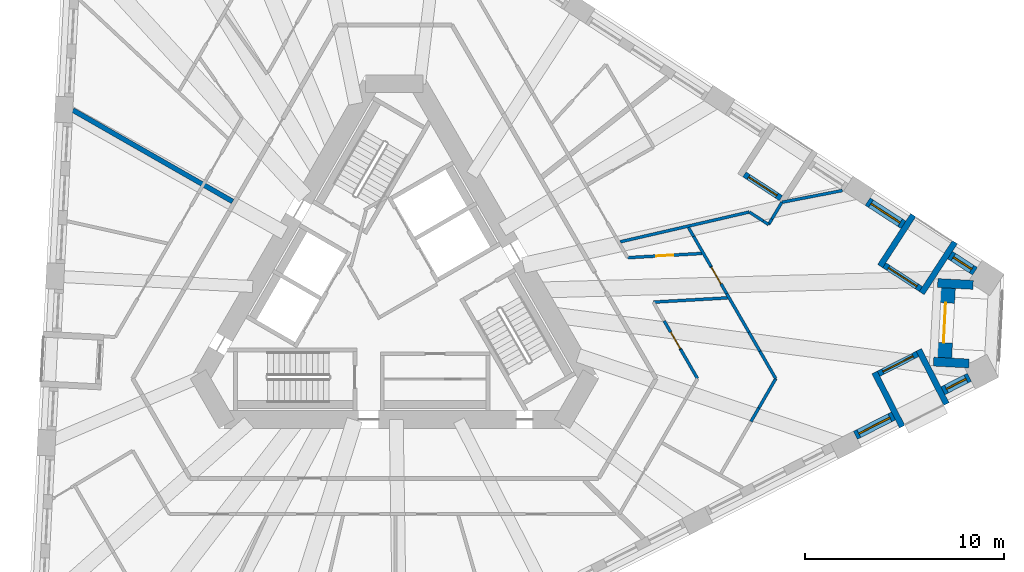
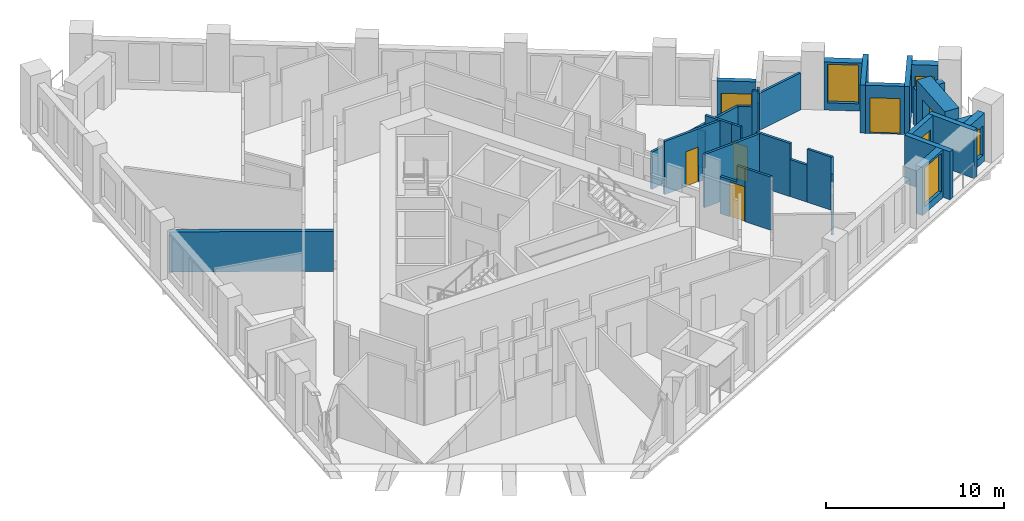
# One storey, part 6 of 13: 33 walls, 7 doors, 4 windows, 11 openings.
"""IFC4 building model written with IfcOpenShell, lengths in metres."""

import ifcopenshell
import ifcopenshell.guid

model = None  # the IFC model being written
_history = None  # IfcOwnerHistory: only IFC2X3 demands one
_inside = {}  # id of a spatial element -> (the spatial element, [elements in it])
_under = {}  # id of a project, library or spatial element -> (it, [spatial elements below it])
_declared = {}  # id of a project -> (the project, [libraries it declares])
_typed = {}  # id of a type object -> (the type object, [elements of that type])
_made_of = {}  # id of a material, layer set ... -> (it, [elements and type objects made of it])


def new_model(schema):
    """Start an empty IFC model of exactly this schema.

    Asked for "IFC4X3", IfcOpenShell would pick the latest addendum, in which some entities
    have other attributes; the version numbers below select the first issue.
    IFC2X3 requires an IfcOwnerHistory on every rooted entity: one is made here for all.
    """
    global model, _history
    if schema == "IFC4X3":
        model = ifcopenshell.file(schema_version=(4, 3, 0, 0))
    else:
        model = ifcopenshell.file(schema=schema)
    _inside.clear()
    _under.clear()
    _declared.clear()
    _typed.clear()
    _made_of.clear()
    _history = None
    if model.schema == "IFC2X3":
        org = make("IfcOrganization", Name="unknown")
        user = make(
            "IfcPersonAndOrganization",
            ThePerson=make("IfcPerson", FamilyName="unknown"),
            TheOrganization=org,
        )
        app = make(
            "IfcApplication",
            ApplicationDeveloper=org,
            Version="unknown",
            ApplicationFullName="unknown",
            ApplicationIdentifier="unknown",
        )
        _history = make(
            "IfcOwnerHistory",
            OwningUser=user,
            OwningApplication=app,
            ChangeAction="ADDED",
            CreationDate=0,
        )
    return model


def make(cls, **values):
    """One entity of the class cls with the attributes given. An attribute that is None is left unset."""
    return model.create_entity(
        cls, **{name: value for name, value in values.items() if value is not None}
    )


def rooted(cls, **values):
    """An entity with a GlobalId (a new one), such as an element, a storey or a relation."""
    return make(cls, GlobalId=ifcopenshell.guid.new(), OwnerHistory=_history, **values)


def si_unit(unit_type, name, prefix=None):
    """IfcSIUnit, for example si_unit("LENGTHUNIT", "METRE", prefix="MILLI")."""
    return make("IfcSIUnit", UnitType=unit_type, Prefix=prefix, Name=name)


def assignment(units):
    """IfcUnitAssignment: the units of a project."""
    return None if units is None else make("IfcUnitAssignment", Units=units)


def point(xyz):
    """IfcCartesianPoint."""
    return None if xyz is None else make("IfcCartesianPoint", Coordinates=xyz)


def direction(xyz):
    """IfcDirection."""
    return None if xyz is None else make("IfcDirection", DirectionRatios=xyz)


def frame(location, z_axis=None, x_axis=None):
    """IfcAxis2Placement3D, a coordinate frame: its origin and axes. An axis left out is left unset."""
    return make(
        "IfcAxis2Placement3D",
        Location=point(location),
        Axis=direction(z_axis),
        RefDirection=direction(x_axis),
    )


def frame_2d(location, x_axis=None):
    """IfcAxis2Placement2D, a coordinate frame in the plane: its origin and x axis."""
    return make(
        "IfcAxis2Placement2D", Location=point(location), RefDirection=direction(x_axis)
    )


def origin():
    """The frame at (0, 0, 0) with its axes left unset."""
    return frame((0.0, 0.0, 0.0))


def place(relative_to, where):
    """IfcLocalPlacement: puts the frame where relative to a parent placement (None: the world)."""
    return make(
        "IfcLocalPlacement", PlacementRelTo=relative_to, RelativePlacement=where
    )


def context(
    kind, dimensions, precision=None, world=None, true_north=None, identifier=None
):
    """IfcGeometricRepresentationContext, for example the 3D "Model" context."""
    return make(
        "IfcGeometricRepresentationContext",
        ContextIdentifier=identifier,
        ContextType=kind,
        CoordinateSpaceDimension=dimensions,
        Precision=precision,
        WorldCoordinateSystem=world,
        TrueNorth=true_north,
    )


def subcontext(parent, identifier, kind, view, scale=None):
    """IfcGeometricRepresentationSubContext, for example "Body" below "Model"."""
    return make(
        "IfcGeometricRepresentationSubContext",
        ContextIdentifier=identifier,
        ContextType=kind,
        ParentContext=parent,
        TargetScale=scale,
        TargetView=view,
    )


def project(units=None, contexts=None):
    """IfcProject with its units and contexts."""
    return rooted(
        "IfcProject",
        Name="project",
        RepresentationContexts=contexts,
        UnitsInContext=assignment(units),
    )


def spatial(cls, under=None, at=None, **own):
    """A site, building, storey or space (cls), placed at a placement, below another one or the project."""
    s = rooted(cls, ObjectPlacement=at, **own)
    if under is not None:
        _under.setdefault(under.id(), (under, []))[1].append(s)
    return s


def polyline(points):
    """IfcPolyline through the points."""
    return make("IfcPolyline", Points=[point(p) for p in points])


def profile(cls, at=None, kind="AREA", **sizes):
    """A parametric profile (cls). Its sizes go by their IFC names, for example OverallWidth=200.0."""
    return make(cls, ProfileType=kind, Position=at, **sizes)


def rectangle(**sizes):
    """IfcRectangleProfileDef."""
    return profile("IfcRectangleProfileDef", **sizes)


def outline(outer, holes=None, kind="AREA"):
    """IfcArbitraryClosedProfileDef: a profile drawn as a closed curve; with holes, ...WithVoids."""
    if holes is None:
        return make("IfcArbitraryClosedProfileDef", ProfileType=kind, OuterCurve=outer)
    return make(
        "IfcArbitraryProfileDefWithVoids",
        ProfileType=kind,
        OuterCurve=outer,
        InnerCurves=holes,
    )


def extrude(swept, where, along, depth):
    """IfcExtrudedAreaSolid: the profile swept, set in the frame where, extruded along a direction by depth."""
    return make(
        "IfcExtrudedAreaSolid",
        SweptArea=swept,
        Position=where,
        ExtrudedDirection=direction(along),
        Depth=depth,
    )


def shape(context_of_items, identifier, shape_type, items):
    """IfcShapeRepresentation: the items that make up one representation, for example the "Body"."""
    return make(
        "IfcShapeRepresentation",
        ContextOfItems=context_of_items,
        RepresentationIdentifier=identifier,
        RepresentationType=shape_type,
        Items=items,
    )


def material(Name=None, Category=None):
    """IfcMaterial."""
    return make("IfcMaterial", Name=Name, Category=Category)


def layer(
    of_material, thickness, ventilated=None, Name=None, Category=None, Priority=None
):
    """IfcMaterialLayer: one layer of a wall or slab, of a material (None: an air gap)."""
    return make(
        "IfcMaterialLayer",
        Material=of_material,
        LayerThickness=thickness,
        IsVentilated=ventilated,
        Name=Name,
        Category=Category,
        Priority=Priority,
    )


def layer_set(layers, Name=None):
    """IfcMaterialLayerSet."""
    return make("IfcMaterialLayerSet", MaterialLayers=layers, LayerSetName=Name)


def made_of(thing, what):
    """Note that an element or type object is made of a material, layer set ...; save() writes the relation."""
    if what is not None:
        _made_of.setdefault(what.id(), (what, []))[1].append(thing)
    return thing


def type_object(cls, material=None, **own):
    """A type object (cls), such as IfcWallType, which elements share."""
    return made_of(rooted(cls, **own), material)


def element(
    cls,
    number,
    at=None,
    inside=None,
    cuts=None,
    type_object=None,
    material=None,
    context=None,
    identifier="Body",
    shape_type=None,
    held_by="IfcProductDefinitionShape",
    body=None,
    shapes=None,
    **own,
):
    """One element of the class cls, such as IfcWall. Its Tag is "e" and its number.

    at: its placement. inside: the storey or other place that contains it. cuts: it is an
    opening in that element (IfcRelVoidsElement). A single representation is given by context,
    identifier, shape_type and body (its items); several are given by shapes. held_by: the class
    of the entity that holds the representations. save() writes the other relations.
    """
    e = rooted(cls, Tag="e%d" % number, ObjectPlacement=at, **own)
    if body is not None:
        shapes = [shape(context, identifier, shape_type, body)]
    if shapes is not None:
        e.Representation = make(held_by, Representations=shapes)
    if inside is not None:
        _inside.setdefault(inside.id(), (inside, []))[1].append(e)
    if cuts is not None:
        rooted(
            "IfcRelVoidsElement", RelatingBuildingElement=cuts, RelatedOpeningElement=e
        )
    if type_object is not None:
        _typed.setdefault(type_object.id(), (type_object, []))[1].append(e)
    return made_of(e, material)


def fill(opening, filler):
    """IfcRelFillsElement: the door or window that sits in an opening."""
    return rooted(
        "IfcRelFillsElement",
        RelatingOpeningElement=opening,
        RelatedBuildingElement=filler,
    )


def aggregate(whole, parts):
    """IfcRelAggregates: a whole, such as a stair, and the parts it consists of."""
    return rooted("IfcRelAggregates", RelatingObject=whole, RelatedObjects=parts)


def save(model, path):
    """Write the relations noted so far, then the file.

    IfcRelAggregates (storeys below a building ...), IfcRelContainedInSpatialStructure (elements
    in a storey), IfcRelDefinesByType, IfcRelAssociatesMaterial and IfcRelDeclares: one each for
    every whole, place, type object, material and project.
    """
    for whole, parts in _under.values():
        aggregate(whole, parts)
    for where, things in _inside.values():
        rooted(
            "IfcRelContainedInSpatialStructure",
            RelatedElements=things,
            RelatingStructure=where,
        )
    for kind, things in _typed.values():
        rooted("IfcRelDefinesByType", RelatedObjects=things, RelatingType=kind)
    for what, things in _made_of.values():
        rooted("IfcRelAssociatesMaterial", RelatedObjects=things, RelatingMaterial=what)
    for by, libraries in _declared.values():
        rooted("IfcRelDeclares", RelatingContext=by, RelatedDefinitions=libraries)
    model.write(path)


model = new_model("IFC4")

# Units and contexts
model_context = context("Model", 3, precision=1e-05, world=origin(), true_north=direction((0.0, 1.0)))
body_context = subcontext(model_context, "Body", "Model", "MODEL_VIEW")
ifc_project = project(units=[si_unit("LENGTHUNIT", "METRE"), si_unit("AREAUNIT", "SQUARE_METRE"), si_unit("VOLUMEUNIT", "CUBIC_METRE"), si_unit("PLANEANGLEUNIT", "RADIAN"), si_unit("MASSUNIT", "GRAM", prefix="KILO")], contexts=[model_context])

# Site, building, storey
site_placement = place(None, origin())
site = spatial("IfcSite", under=ifc_project, at=site_placement, CompositionType="ELEMENT")
building_placement = place(site_placement, origin())
building = spatial("IfcBuilding", under=site, at=building_placement, Name="Tramontana Tower", CompositionType="ELEMENT")
storey_placement = place(building_placement, frame((0.0, 0.0, 149.60009765625)))
storey = spatial("IfcBuildingStorey", under=building, at=storey_placement, Name="L34", CompositionType="ELEMENT", Elevation=149.60009765625)

# Wall, opening, window
ifc_material_1 = material(Name="Precast concrete 60 MPa", Category="concrete")
ifc_layer_1 = layer(ifc_material_1, 0.449951171875)
ifc_layer_set_1 = layer_set([ifc_layer_1], Name="Precast concrete 60 MPa, 450 mm")
wall_type_1 = type_object("IfcWallType", Name="EW1 Stone-faced precast wall 450", PredefinedType="SOLIDWALL", material=ifc_layer_set_1)
wall_1_placement = place(storey_placement, frame((23.1357421875, -7.094970703125, 0.0), z_axis=(0.0, 0.0, 1.0), x_axis=(0.890979432498, 0.454043666254, 0.0)))
wall_1 = element("IfcWall", 1, at=wall_1_placement, inside=storey, type_object=wall_type_1, Name="External wall L34 face 1 bay 6", PredefinedType="SOLIDWALL", context=body_context, shape_type="SweptSolid", body=[
    extrude(rectangle(XDim=2.140625, YDim=0.449951171875, at=frame_2d((1.0703125, 0.0))), origin(), (0.0, 0.0, 1.0), 3.2998046875),
])
opening_1_placement = place(wall_1_placement, frame((0.1953125, 0.0, 0.5)))
opening_1 = element("IfcOpeningElement", 2, at=opening_1_placement, cuts=wall_1, Name="Opening M2", PredefinedType="OPENING", context=body_context, shape_type="SweptSolid", body=[
    extrude(rectangle(XDim=1.75, YDim=2.64990234375, at=frame_2d((0.875, 1.324951171875))), frame((0.0, 0.23486328125, 0.0), z_axis=(0.0, -1.0, 0.0), x_axis=(1.0, 0.0, 0.0)), (0.0, 0.0, 1.0), 0.469970703125),
])
ifc_material_2 = material(Name="Aluminum frame, double glazing unit", Category="aluminium")
window_type_1 = type_object("IfcWindowType", Name="M2 Window 1.75 x 2.65", PartitioningType="SINGLE_PANEL", PredefinedType="WINDOW", material=ifc_material_2)
window_1_placement = place(opening_1_placement, origin())
window_1 = element("IfcWindow", 3, at=window_1_placement, inside=storey, type_object=window_type_1, Name="Window M2 L34 face 1 module 16", OverallHeight=2.64990234375, OverallWidth=1.75, PartitioningType="SINGLE_PANEL", PredefinedType="WINDOW", context=body_context, shape_type="SweptSolid", body=[
    extrude(rectangle(XDim=1.75, YDim=2.64990234375, at=frame_2d((0.875, 1.324951171875))), frame((0.0, 0.030029296875, 0.0), z_axis=(0.0, -1.0, 0.0), x_axis=(1.0, 0.0, 0.0)), (0.0, 0.0, 1.0), 0.06005859375),
])
fill(opening_1, window_1)

wall_2_placement = place(storey_placement, frame((27.529296875, -4.856201171875, 0.0), z_axis=(0.0, 0.0, 1.0), x_axis=(0.890994495378, 0.454014106836, 0.0)))
wall_2 = element("IfcWall", 4, at=wall_2_placement, inside=storey, type_object=wall_type_1, Name="External wall L34 face 1 bay 6", PredefinedType="SOLIDWALL", context=body_context, shape_type="SweptSolid", body=[
    extrude(rectangle(XDim=1.49072265625, YDim=0.449951171875, at=frame_2d((0.745361328125, 0.0))), origin(), (0.0, 0.0, 1.0), 3.2998046875),
])
opening_2_placement = place(wall_2_placement, frame((0.1953125, 0.0, 0.5)))
opening_2 = element("IfcOpeningElement", 5, at=opening_2_placement, cuts=wall_2, Name="Opening N2L", PredefinedType="OPENING", context=body_context, shape_type="SweptSolid", body=[
    extrude(rectangle(XDim=1.10009765625, YDim=2.0, at=frame_2d((0.550048828125, 1.0))), frame((0.0, 0.23486328125, 0.0), z_axis=(0.0, -1.0, 0.0), x_axis=(1.0, 0.0, 0.0)), (0.0, 0.0, 1.0), 0.469970703125),
])
ifc_material_3 = material(Name="Aluminum frame, double glazing unit", Category="aluminium")
window_type_2 = type_object("IfcWindowType", Name="N2L Window 1.1 x 2", PartitioningType="SINGLE_PANEL", PredefinedType="WINDOW", material=ifc_material_3)
window_2_placement = place(opening_2_placement, origin())
window_2 = element("IfcWindow", 6, at=window_2_placement, inside=storey, type_object=window_type_2, Name="Window N2L L34 face 1 module 18", OverallHeight=2.0, OverallWidth=1.10009765625, PartitioningType="SINGLE_PANEL", PredefinedType="WINDOW", context=body_context, shape_type="SweptSolid", body=[
    extrude(rectangle(XDim=1.10009765625, YDim=2.0, at=frame_2d((0.550048828125, 1.0))), frame((0.0, 0.030029296875, 0.0), z_axis=(0.0, -1.0, 0.0), x_axis=(1.0, 0.0, 0.0)), (0.0, 0.0, 1.0), 0.06005859375),
])
fill(opening_2, window_2)

wall_3_placement = place(storey_placement, frame((29.13623046875, 1.14013671875, 0.0), z_axis=(0.0, 0.0, 1.0), x_axis=(-0.838668089672, 0.544642851203, 0.0)))
wall_3 = element("IfcWall", 7, at=wall_3_placement, inside=storey, type_object=wall_type_1, Name="External wall L34 face 2 bay 1", PredefinedType="SOLIDWALL", context=body_context, shape_type="SweptSolid", body=[
    extrude(rectangle(XDim=1.490478515625, YDim=0.449951171875, at=frame_2d((0.7451171875, 0.0))), origin(), (0.0, 0.0, 1.0), 3.2998046875),
])
opening_3_placement = place(wall_3_placement, frame((0.1953125, 0.0, 0.5)))
opening_3 = element("IfcOpeningElement", 8, at=opening_3_placement, cuts=wall_3, Name="Opening N2L", PredefinedType="OPENING", context=body_context, shape_type="SweptSolid", body=[
    extrude(rectangle(XDim=1.10009765625, YDim=2.0, at=frame_2d((0.550048828125, 1.0))), frame((0.0, 0.23486328125, 0.0), z_axis=(0.0, -1.0, 0.0), x_axis=(1.0, 0.0, 0.0)), (0.0, 0.0, 1.0), 0.469970703125),
])
window_3_placement = place(opening_3_placement, origin())
window_3 = element("IfcWindow", 9, at=window_3_placement, inside=storey, type_object=window_type_2, Name="Window N2L L34 face 2 module 1", OverallHeight=2.0, OverallWidth=1.10009765625, PartitioningType="SINGLE_PANEL", PredefinedType="WINDOW", context=body_context, shape_type="SweptSolid", body=[
    extrude(rectangle(XDim=1.10009765625, YDim=2.0, at=frame_2d((0.550048828125, 1.0))), frame((0.0, 0.030029296875, 0.0), z_axis=(0.0, -1.0, 0.0), x_axis=(1.0, 0.0, 0.0)), (0.0, 0.0, 1.0), 0.06005859375),
])
fill(opening_3, window_3)

wall_4_placement = place(storey_placement, frame((25.5458984375, 3.471923828125, 0.0), z_axis=(0.0, 0.0, 1.0), x_axis=(-0.838675466927, 0.544631491171, 0.0)))
wall_4 = element("IfcWall", 10, at=wall_4_placement, inside=storey, type_object=wall_type_1, Name="External wall L34 face 2 bay 1", PredefinedType="SOLIDWALL", context=body_context, shape_type="SweptSolid", body=[
    extrude(rectangle(XDim=2.140380859375, YDim=0.449951171875, at=frame_2d((1.0703125, 0.0))), origin(), (0.0, 0.0, 1.0), 3.2998046875),
])
opening_4_placement = place(wall_4_placement, frame((0.1953125, 0.0, 0.5)))
opening_4 = element("IfcOpeningElement", 11, at=opening_4_placement, cuts=wall_4, Name="Opening M2", PredefinedType="OPENING", context=body_context, shape_type="SweptSolid", body=[
    extrude(rectangle(XDim=1.75, YDim=2.64990234375, at=frame_2d((0.875, 1.324951171875))), frame((0.0, 0.23486328125, 0.0), z_axis=(0.0, -1.0, 0.0), x_axis=(1.0, 0.0, 0.0)), (0.0, 0.0, 1.0), 0.469970703125),
])
window_4_placement = place(opening_4_placement, origin())
window_4 = element("IfcWindow", 12, at=window_4_placement, inside=storey, type_object=window_type_1, Name="Window M2 L34 face 2 module 3", OverallHeight=2.64990234375, OverallWidth=1.75, PartitioningType="SINGLE_PANEL", PredefinedType="WINDOW", context=body_context, shape_type="SweptSolid", body=[
    extrude(rectangle(XDim=1.75, YDim=2.64990234375, at=frame_2d((0.875, 1.324951171875))), frame((0.0, 0.030029296875, 0.0), z_axis=(0.0, -1.0, 0.0), x_axis=(1.0, 0.0, 0.0)), (0.0, 0.0, 1.0), 0.06005859375),
])
fill(opening_4, window_4)

# Walls
for number, where, z_axis, x_axis, name in (
    (13, (29.04296875, 0.45556640625, 0.0), (0.0, 0.0, 1.0), (-0.998625399692, 0.05241479839, 0.0), "Corner loggia side wall L34 K32l"),
    (14, (28.836181640625, -3.489013671875, 0.0), (0.0, 0.0, 1.0), (-0.998625399692, 0.05241479839, 0.0), "Corner loggia side wall L34 K32r"),
):
    element("IfcWall", number, at=place(storey_placement, frame(where, z_axis=z_axis, x_axis=x_axis)), inside=storey, type_object=wall_type_1, Name=name, PredefinedType="SOLIDWALL", context=body_context, shape_type="SweptSolid", body=[
        extrude(rectangle(XDim=1.779296875, YDim=0.449951171875, at=frame_2d((0.8896484375, 0.0))), origin(), (0.0, 0.0, 1.0), 2.5498046875),
    ])

# Wall, opening, door
ifc_material_4 = material(Name="Precast concrete 60 MPa", Category="concrete")
ifc_layer_2 = layer(ifc_material_4, 0.89990234375)
ifc_layer_set_2 = layer_set([ifc_layer_2], Name="EW2 Stone-faced corner loggia wall 900")
wall_type_2 = type_object("IfcWallType", Name="EW2 Stone-faced corner loggia wall 900", PredefinedType="SOLIDWALL", material=ifc_layer_set_2)
wall_5_placement = place(storey_placement, frame((27.70361328125, 0.300537109375, 0.0), z_axis=(0.0, 0.0, 1.0), x_axis=(-0.052317189757, -0.998630518088, 0.0)))
wall_5 = element("IfcWall", 15, at=wall_5_placement, inside=storey, type_object=wall_type_2, Name="Corner loggia wall L34 K32", PredefinedType="SOLIDWALL", context=body_context, shape_type="SweptSolid", body=[
    extrude(rectangle(XDim=3.5, YDim=0.89990234375, at=frame_2d((1.75, 0.0))), origin(), (0.0, 0.0, 1.0), 3.2998046875),
])
opening_5_placement = place(wall_5_placement, frame((0.75, 0.0, 0.0)))
opening_5 = element("IfcOpeningElement", 16, at=opening_5_placement, cuts=wall_5, Name="Opening BD-32C", PredefinedType="OPENING", context=body_context, shape_type="SweptSolid", body=[
    extrude(rectangle(XDim=2.0, YDim=2.39990234375, at=frame_2d((1.0, 1.199951171875))), frame((0.0, 0.4599609375, 0.0), z_axis=(0.0, -1.0, 0.0), x_axis=(1.0, 0.0, 0.0)), (0.0, 0.0, 1.0), 0.919921875),
])
ifc_material_5 = material(Name="Aluminum frame, double glazing unit", Category="aluminium")
door_type_1 = type_object("IfcDoorType", Name="BC1 Sliding door 2 x 2.4", OperationType="SLIDING_TO_LEFT", PredefinedType="DOOR", material=ifc_material_5)
door_1_placement = place(opening_5_placement, origin())
door_1 = element("IfcDoor", 17, at=door_1_placement, inside=storey, type_object=door_type_1, Name="Corner loggia door L34 K32", OperationType="SLIDING_TO_LEFT", OverallHeight=2.39990234375, OverallWidth=2.0, PredefinedType="DOOR", context=body_context, shape_type="SweptSolid", body=[
    extrude(rectangle(XDim=2.0, YDim=2.39990234375, at=frame_2d((1.0, 1.199951171875))), frame((0.0, 0.02490234375, 0.0), z_axis=(0.0, -1.0, 0.0), x_axis=(1.0, 0.0, 0.0)), (0.0, 0.0, 1.0), 0.050048828125),
])
fill(opening_5, door_1)

ifc_material_6 = material(Name="Precast concrete 60 MPa", Category="concrete")
ifc_layer_3 = layer(ifc_material_6, 0.300048828125)
ifc_layer_set_3 = layer_set([ifc_layer_3], Name="LW1 Stone-faced loggia wall 300")
wall_type_3 = type_object("IfcWallType", Name="LW1 Stone-faced loggia wall 300", PredefinedType="SOLIDWALL", material=ifc_layer_set_3)
wall_6_placement = place(storey_placement, frame((24.30029296875, -4.00439453125, 0.0), z_axis=(0.0, 0.0, 1.0), x_axis=(0.891013126725, 0.4539775413, 0.0)))
wall_6 = element("IfcWall", 18, at=wall_6_placement, inside=storey, type_object=wall_type_3, Name="Loggia wall L34 G3S1.16", PredefinedType="SOLIDWALL", context=body_context, shape_type="SweptSolid", body=[
    extrude(rectangle(XDim=2.1904296875, YDim=0.300048828125, at=frame_2d((1.09521484375, 0.0))), origin(), (0.0, 0.0, 1.0), 3.2998046875),
])
opening_6_placement = place(wall_6_placement, frame((0.245361328125, 0.0, 0.0)))
opening_6 = element("IfcOpeningElement", 19, at=opening_6_placement, cuts=wall_6, Name="Opening BD-3S1-16", PredefinedType="OPENING", context=body_context, shape_type="SweptSolid", body=[
    extrude(rectangle(XDim=1.699951171875, YDim=2.449951171875, at=frame_2d((0.85009765625, 1.22509765625))), frame((0.0, 0.159912109375, 0.0), z_axis=(0.0, -1.0, 0.0), x_axis=(1.0, 0.0, 0.0)), (0.0, 0.0, 1.0), 0.320068359375),
])
ifc_material_7 = material(Name="Aluminum frame, double glazing unit", Category="aluminium")
door_type_2 = type_object("IfcDoorType", Name="BD2 Sliding door 1.7 x 2.45", OperationType="SLIDING_TO_LEFT", PredefinedType="DOOR", material=ifc_material_7)
door_2_placement = place(opening_6_placement, origin())
door_2 = element("IfcDoor", 20, at=door_2_placement, inside=storey, type_object=door_type_2, Name="Loggia door L34 G3S1.16", OperationType="SLIDING_TO_LEFT", OverallHeight=2.449951171875, OverallWidth=1.699951171875, PredefinedType="DOOR", context=body_context, shape_type="SweptSolid", body=[
    extrude(rectangle(XDim=1.699951171875, YDim=2.449951171875, at=frame_2d((0.85009765625, 1.22509765625))), frame((0.0, 0.02490234375, 0.0), z_axis=(0.0, -1.0, 0.0), x_axis=(1.0, 0.0, 0.0)), (0.0, 0.0, 1.0), 0.050048828125),
])
fill(opening_6, door_2)

# Walls
wall_7_placement = place(storey_placement, frame((25.483154296875, -6.656494140625, 0.0), z_axis=(0.0, 0.0, 1.0), x_axis=(-0.453988129332, 0.891007731968, 0.0)))
element("IfcWall", 21, at=wall_7_placement, inside=storey, type_object=wall_type_3, Name="Loggia return L34 G3S1.16a", PredefinedType="SOLIDWALL", context=body_context, shape_type="SweptSolid", body=[
    extrude(rectangle(XDim=3.05029296875, YDim=0.300048828125, at=frame_2d((1.525146484375, 0.0))), origin(), (0.0, 0.0, 1.0), 3.2998046875),
])
wall_8_placement = place(storey_placement, frame((27.7021484375, -5.525634765625, 0.0), z_axis=(0.0, 0.0, 1.0), x_axis=(-0.453956959009, 0.891023613249, 0.0)))
element("IfcWall", 22, at=wall_8_placement, inside=storey, type_object=wall_type_3, Name="Loggia return L34 G3S1.16b", PredefinedType="SOLIDWALL", context=body_context, shape_type="SweptSolid", body=[
    extrude(rectangle(XDim=3.0498046875, YDim=0.300048828125, at=frame_2d((1.52490234375, 0.0))), origin(), (0.0, 0.0, 1.0), 3.2998046875),
])

# Wall, opening, door
wall_9_placement = place(storey_placement, frame((26.4228515625, 0.249267578125, 0.0), z_axis=(0.0, 0.0, 1.0), x_axis=(-0.838659986147, 0.544655329209, 0.0)))
wall_9 = element("IfcWall", 23, at=wall_9_placement, inside=storey, type_object=wall_type_3, Name="Loggia wall L34 G3S2.1", PredefinedType="SOLIDWALL", context=body_context, shape_type="SweptSolid", body=[
    extrude(rectangle(XDim=2.190673828125, YDim=0.300048828125, at=frame_2d((1.09521484375, 0.0))), origin(), (0.0, 0.0, 1.0), 3.2998046875),
])
opening_7_placement = place(wall_9_placement, frame((0.245361328125, 0.0, 0.0)))
opening_7 = element("IfcOpeningElement", 24, at=opening_7_placement, cuts=wall_9, Name="Opening BD-3S2-01", PredefinedType="OPENING", context=body_context, shape_type="SweptSolid", body=[
    extrude(rectangle(XDim=1.699951171875, YDim=2.449951171875, at=frame_2d((0.85009765625, 1.22509765625))), frame((0.0, 0.159912109375, 0.0), z_axis=(0.0, -1.0, 0.0), x_axis=(1.0, 0.0, 0.0)), (0.0, 0.0, 1.0), 0.320068359375),
])
door_3_placement = place(opening_7_placement, origin())
door_3 = element("IfcDoor", 25, at=door_3_placement, inside=storey, type_object=door_type_2, Name="Loggia door L34 G3S2.1", OperationType="SLIDING_TO_LEFT", OverallHeight=2.449951171875, OverallWidth=1.699951171875, PredefinedType="DOOR", context=body_context, shape_type="SweptSolid", body=[
    extrude(rectangle(XDim=1.699951171875, YDim=2.449951171875, at=frame_2d((0.85009765625, 1.22509765625))), frame((0.0, 0.02490234375, 0.0), z_axis=(0.0, -1.0, 0.0), x_axis=(1.0, 0.0, 0.0)), (0.0, 0.0, 1.0), 0.050048828125),
])
fill(opening_7, door_3)

# Walls
for number, where, z_axis, x_axis, name in (
    (26, (28.1279296875, 2.599853515625, 0.0), (0.0, 0.0, 1.0), (-0.544611292451, -0.838688583525, 0.0), "Loggia return L34 G3S2.1a"),
    (27, (26.039306640625, 3.956298828125, 0.0), (0.0, 0.0, 1.0), (-0.544611292451, -0.838688583525, 0.0), "Loggia return L34 G3S2.1b"),
):
    element("IfcWall", number, at=place(storey_placement, frame(where, z_axis=z_axis, x_axis=x_axis)), inside=storey, type_object=wall_type_3, Name=name, PredefinedType="SOLIDWALL", context=body_context, shape_type="SweptSolid", body=[
        extrude(rectangle(XDim=3.050048828125, YDim=0.300048828125, at=frame_2d((1.52490234375, 0.0))), origin(), (0.0, 0.0, 1.0), 3.2998046875),
    ])

# Wall, opening, door
wall_10_placement = place(storey_placement, frame((19.40185546875, 4.808837890625, 0.0), z_axis=(0.0, 0.0, 1.0), x_axis=(-0.838659986147, 0.544655329209, 0.0)))
wall_10 = element("IfcWall", 28, at=wall_10_placement, inside=storey, type_object=wall_type_3, Name="Loggia wall L34 G3S2.4", PredefinedType="SOLIDWALL", context=body_context, shape_type="SweptSolid", body=[
    extrude(rectangle(XDim=2.190673828125, YDim=0.300048828125, at=frame_2d((1.09521484375, 0.0))), origin(), (0.0, 0.0, 1.0), 3.2998046875),
])
opening_8_placement = place(wall_10_placement, frame((0.245361328125, 0.0, 0.0)))
opening_8 = element("IfcOpeningElement", 29, at=opening_8_placement, cuts=wall_10, Name="Opening BD-3S2-04", PredefinedType="OPENING", context=body_context, shape_type="SweptSolid", body=[
    extrude(rectangle(XDim=1.699951171875, YDim=2.449951171875, at=frame_2d((0.85009765625, 1.22509765625))), frame((0.0, 0.159912109375, 0.0), z_axis=(0.0, -1.0, 0.0), x_axis=(1.0, 0.0, 0.0)), (0.0, 0.0, 1.0), 0.320068359375),
])
door_4_placement = place(opening_8_placement, origin())
door_4 = element("IfcDoor", 30, at=door_4_placement, inside=storey, type_object=door_type_2, Name="Loggia door L34 G3S2.4", OperationType="SLIDING_TO_LEFT", OverallHeight=2.449951171875, OverallWidth=1.699951171875, PredefinedType="DOOR", context=body_context, shape_type="SweptSolid", body=[
    extrude(rectangle(XDim=1.699951171875, YDim=2.449951171875, at=frame_2d((0.85009765625, 1.22509765625))), frame((0.0, 0.02490234375, 0.0), z_axis=(0.0, -1.0, 0.0), x_axis=(1.0, 0.0, 0.0)), (0.0, 0.0, 1.0), 0.050048828125),
])
fill(opening_8, door_4)

# Wall
ifc_material_8 = material(Name="Gypsum board partition")
ifc_layer_4 = layer(ifc_material_8, 0.14990234375)
ifc_layer_set_4 = layer_set([ifc_layer_4], Name="PARTITION 150")
wall_type_4 = type_object("IfcWallType", Name="PARTITION 150", PredefinedType="PARTITIONING", material=ifc_layer_set_4)
wall_11_placement = place(storey_placement, frame((11.334716796875, 2.617431640625, 0.0), z_axis=(0.0, 0.0, 1.0), x_axis=(0.974352177645, 0.225028518011, 0.0)))
element("IfcWall", 31, at=wall_11_placement, inside=storey, type_object=wall_type_4, Name="Wall v32-pw24-0", PredefinedType="PARTITIONING", context=body_context, shape_type="SweptSolid", body=[
    extrude(rectangle(XDim=6.646240234375, YDim=0.14990234375, at=frame_2d((3.3232421875, 0.0))), origin(), (0.0, 0.0, 1.0), 2.5498046875),
])

# Wall, opening, door
wall_12_placement = place(storey_placement, frame((11.708251953125, 1.82080078125, 0.0), z_axis=(0.0, 0.0, 1.0), x_axis=(0.998371120979, 0.0570535257, 0.0)))
wall_12 = element("IfcWall", 32, at=wall_12_placement, inside=storey, type_object=wall_type_4, Name="Wall v32-pw26", PredefinedType="PARTITIONING", context=body_context, shape_type="SweptSolid", body=[
    extrude(rectangle(XDim=3.722900390625, YDim=0.14990234375, at=frame_2d((1.861328125, 0.0))), origin(), (0.0, 0.0, 1.0), 3.64990234375),
])
opening_9_placement = place(wall_12_placement, frame((1.4365234375, 0.0, 0.0)))
opening_9 = element("IfcOpeningElement", 33, at=opening_9_placement, cuts=wall_12, Name="Opening B3C-16", PredefinedType="OPENING", context=body_context, shape_type="SweptSolid", body=[
    extrude(rectangle(XDim=0.85009765625, YDim=2.39990234375, at=frame_2d((0.425048828125, 1.199951171875))), frame((0.0, 0.0849609375, 0.0), z_axis=(0.0, -1.0, 0.0), x_axis=(1.0, 0.0, 0.0)), (0.0, 0.0, 1.0), 0.169921875),
])
ifc_material_9 = material(Name="Painted timber", Category="wood")
door_type_3 = type_object("IfcDoorType", Name="DOOR BATH 850", OperationType="SINGLE_SWING_LEFT", PredefinedType="DOOR", material=ifc_material_9)
door_5_placement = place(opening_9_placement, origin())
door_5 = element("IfcDoor", 34, at=door_5_placement, inside=storey, type_object=door_type_3, Name="Door B3C-16", OperationType="SINGLE_SWING_RIGHT", OverallHeight=2.39990234375, OverallWidth=0.85009765625, PredefinedType="DOOR", context=body_context, shape_type="SweptSolid", body=[
    extrude(rectangle(XDim=0.85009765625, YDim=2.39990234375, at=frame_2d((0.425048828125, 1.199951171875))), frame((0.0, 0.02490234375, 0.0), z_axis=(0.0, -1.0, 0.0), x_axis=(1.0, 0.0, 0.0)), (0.0, 0.0, 1.0), 0.050048828125),
])
fill(opening_9, door_5)

wall_13_placement = place(storey_placement, frame((13.541748046875, -1.355224609375, 0.0), z_axis=(0.0, 0.0, 1.0), x_axis=(0.500021249735, -0.866013134896, 0.0)))
wall_13 = element("IfcWall", 35, at=wall_13_placement, inside=storey, type_object=wall_type_4, Name="Wall v32-pw27-1", PredefinedType="PARTITIONING", context=body_context, shape_type="SweptSolid", body=[
    extrude(outline(polyline([(0.0, 0.0), (1.650390625, 0.0), (1.650146484375, 3.64990234375), (1.103759765625, 3.64990234375), (1.103759765625, 2.5498046875), (0.0, 2.5498046875), (0.0, 0.0)])), frame((0.0, 0.074951171875, 0.0), z_axis=(0.0, -1.0, 0.0), x_axis=(1.0, 0.0, 0.0)), (0.0, 0.0, 1.0), 0.14990234375),
])
opening_10_placement = place(wall_13_placement, frame((0.650146484375, 0.0, 0.0)))
opening_10 = element("IfcOpeningElement", 36, at=opening_10_placement, cuts=wall_13, Name="Opening B3C-15", PredefinedType="OPENING", context=body_context, shape_type="SweptSolid", body=[
    extrude(rectangle(XDim=0.949951171875, YDim=2.39990234375, at=frame_2d((0.47509765625, 1.199951171875))), frame((0.0, 0.0849609375, 0.0), z_axis=(0.0, -1.0, 0.0), x_axis=(1.0, 0.0, 0.0)), (0.0, 0.0, 1.0), 0.169921875),
])
ifc_material_10 = material(Name="Painted timber", Category="wood")
door_type_4 = type_object("IfcDoorType", Name="DOOR ROOM 950", OperationType="SINGLE_SWING_LEFT", PredefinedType="DOOR", material=ifc_material_10)
door_6_placement = place(opening_10_placement, origin())
door_6 = element("IfcDoor", 37, at=door_6_placement, inside=storey, type_object=door_type_4, Name="Door B3C-15", OperationType="SINGLE_SWING_LEFT", OverallHeight=2.39990234375, OverallWidth=0.949951171875, PredefinedType="DOOR", context=body_context, shape_type="SweptSolid", body=[
    extrude(rectangle(XDim=0.949951171875, YDim=2.39990234375, at=frame_2d((0.47509765625, 1.199951171875))), frame((0.0, 0.02490234375, 0.0), z_axis=(0.0, -1.0, 0.0), x_axis=(1.0, 0.0, 0.0)), (0.0, 0.0, 1.0), 0.050048828125),
])
fill(opening_10, door_6)

# Walls
wall_14_placement = place(storey_placement, frame((14.366943359375, -2.784423828125, 0.0), z_axis=(0.0, 0.0, 1.0), x_axis=(0.500017996867, -0.866015013039, 0.0)))
element("IfcWall", 38, at=wall_14_placement, inside=storey, type_object=wall_type_4, Name="Wall v32-pw27-2", PredefinedType="PARTITIONING", context=body_context, shape_type="SweptSolid", body=[
    extrude(rectangle(XDim=1.6923828125, YDim=0.14990234375, at=frame_2d((0.84619140625, 0.0))), origin(), (0.0, 0.0, 1.0), 3.64990234375),
])
wall_15_placement = place(storey_placement, frame((14.76171875, 3.33203125, 0.0), z_axis=(0.0, 0.0, 1.0), x_axis=(0.499818422106, -0.866130212453, 0.0)))
element("IfcWall", 39, at=wall_15_placement, inside=storey, type_object=wall_type_4, Name="Wall v32-pw30-0", PredefinedType="PARTITIONING", context=body_context, shape_type="SweptSolid", body=[
    extrude(rectangle(XDim=0.513916015625, YDim=0.14990234375, at=frame_2d((0.2568359375, 0.0))), origin(), (0.0, 0.0, 1.0), 2.5498046875),
])
wall_16_placement = place(storey_placement, frame((15.0185546875, 2.886962890625, 0.0), z_axis=(0.0, 0.0, 1.0), x_axis=(0.499997407846, -0.86602690036, 0.0)))
element("IfcWall", 40, at=wall_16_placement, inside=storey, type_object=wall_type_4, Name="Wall v32-pw30-1", PredefinedType="PARTITIONING", context=body_context, shape_type="SweptSolid", body=[
    extrude(rectangle(XDim=1.7421875, YDim=0.14990234375, at=frame_2d((0.87109375, 0.0))), origin(), (0.0, 0.0, 1.0), 3.64990234375),
])

# Wall, opening, door
wall_17_placement = place(storey_placement, frame((15.8896484375, 1.378173828125, 0.0), z_axis=(0.0, 0.0, 1.0), x_axis=(0.500094043707, -0.865971100816, 0.0)))
wall_17 = element("IfcWall", 41, at=wall_17_placement, inside=storey, type_object=wall_type_4, Name="Wall v32-pw30-2", PredefinedType="PARTITIONING", context=body_context, shape_type="SweptSolid", body=[
    extrude(outline(polyline([(0.0, 0.0), (1.573486328125, 0.0), (1.5732421875, 2.5498046875), (0.578125, 2.5498046875), (0.578125, 3.64990234375), (0.0, 3.64990234375), (0.0, 0.0)])), frame((0.0, 0.074951171875, 0.0), z_axis=(0.0, -1.0, 0.0), x_axis=(1.0, 0.0, 0.0)), (0.0, 0.0, 1.0), 0.14990234375),
])
opening_11_placement = place(wall_17_placement, frame((0.050048828125, 0.0, 0.0)))
opening_11 = element("IfcOpeningElement", 42, at=opening_11_placement, cuts=wall_17, Name="Opening B3C-17", PredefinedType="OPENING", context=body_context, shape_type="SweptSolid", body=[
    extrude(rectangle(XDim=0.949951171875, YDim=2.39990234375, at=frame_2d((0.47509765625, 1.199951171875))), frame((0.0, 0.0849609375, 0.0), z_axis=(0.0, -1.0, 0.0), x_axis=(1.0, 0.0, 0.0)), (0.0, 0.0, 1.0), 0.169921875),
])
door_7_placement = place(opening_11_placement, origin())
door_7 = element("IfcDoor", 43, at=door_7_placement, inside=storey, type_object=door_type_4, Name="Door B3C-17", OperationType="SINGLE_SWING_LEFT", OverallHeight=2.39990234375, OverallWidth=0.949951171875, PredefinedType="DOOR", context=body_context, shape_type="SweptSolid", body=[
    extrude(rectangle(XDim=0.949951171875, YDim=2.39990234375, at=frame_2d((0.47509765625, 1.199951171875))), frame((0.0, 0.02490234375, 0.0), z_axis=(0.0, -1.0, 0.0), x_axis=(1.0, 0.0, 0.0)), (0.0, 0.0, 1.0), 0.050048828125),
])
fill(opening_11, door_7)

# Walls
wall_18_placement = place(storey_placement, frame((16.676513671875, 0.015625, 0.0), z_axis=(0.0, 0.0, 1.0), x_axis=(0.499958946799, -0.866049104564, 0.0)))
element("IfcWall", 44, at=wall_18_placement, inside=storey, type_object=wall_type_4, Name="Wall v32-pw30-3", PredefinedType="PARTITIONING", context=body_context, shape_type="SweptSolid", body=[
    extrude(rectangle(XDim=2.234130859375, YDim=0.14990234375, at=frame_2d((1.1171875, 0.0))), origin(), (0.0, 0.0, 1.0), 3.64990234375),
])
wall_19_placement = place(storey_placement, frame((17.79345703125, -1.919189453125, 0.0), z_axis=(0.0, 0.0, 1.0), x_axis=(0.500111757231, -0.865960871102, 0.0)))
element("IfcWall", 45, at=wall_19_placement, inside=storey, type_object=wall_type_4, Name="Wall v32-pw30-4", PredefinedType="PARTITIONING", context=body_context, shape_type="SweptSolid", body=[
    extrude(rectangle(XDim=1.103759765625, YDim=0.14990234375, at=frame_2d((0.5517578125, 0.0))), origin(), (0.0, 0.0, 1.0), 2.5498046875),
])
wall_20_placement = place(storey_placement, frame((18.345458984375, -2.875, 0.0), z_axis=(0.0, 0.0, 1.0), x_axis=(0.499926564348, -0.866067797727, 0.0)))
element("IfcWall", 46, at=wall_20_placement, inside=storey, type_object=wall_type_4, Name="Wall v32-pw30-5", PredefinedType="PARTITIONING", context=body_context, shape_type="SweptSolid", body=[
    extrude(rectangle(XDim=1.587646484375, YDim=0.14990234375, at=frame_2d((0.7939453125, 0.0))), origin(), (0.0, 0.0, 1.0), 3.64990234375),
])
wall_21_placement = place(storey_placement, frame((16.712646484375, -0.197021484375, 0.0), z_axis=(0.0, 0.0, 1.0), x_axis=(-0.998371120979, -0.0570535257, 0.0)))
element("IfcWall", 47, at=wall_21_placement, inside=storey, type_object=wall_type_4, Name="Wall v32-pw32", PredefinedType="PARTITIONING", context=body_context, shape_type="SweptSolid", body=[
    extrude(rectangle(XDim=3.722900390625, YDim=0.14990234375, at=frame_2d((1.861328125, 0.0))), origin(), (0.0, 0.0, 1.0), 3.64990234375),
])
wall_22_placement = place(storey_placement, frame((17.810791015625, 4.113037109375, 0.0), z_axis=(0.0, 0.0, 1.0), x_axis=(0.838605037595, -0.544739929618, 0.0)))
element("IfcWall", 48, at=wall_22_placement, inside=storey, type_object=wall_type_4, Name="Wall v32-pw34-0", PredefinedType="PARTITIONING", context=body_context, shape_type="SweptSolid", body=[
    extrude(rectangle(XDim=0.8291015625, YDim=0.14990234375, at=frame_2d((0.41455078125, 0.0))), origin(), (0.0, 0.0, 1.0), 2.5498046875),
])
wall_23_placement = place(storey_placement, frame((18.506103515625, 3.661376953125, 0.0), z_axis=(0.0, 0.0, 1.0), x_axis=(0.838478007434, -0.544935437506, 0.0)))
element("IfcWall", 49, at=wall_23_placement, inside=storey, type_object=wall_type_4, Name="Wall v32-pw34-1", PredefinedType="PARTITIONING", context=body_context, shape_type="SweptSolid", body=[
    extrude(rectangle(XDim=0.324462890625, YDim=0.14990234375, at=frame_2d((0.162109375, 0.0))), origin(), (0.0, 0.0, 1.0), 3.64990234375),
])
wall_24_placement = place(storey_placement, frame((18.781005859375, 3.4853515625, 0.0), z_axis=(0.0, 0.0, 1.0), x_axis=(0.512010084496, 0.858979437108, 0.0)))
element("IfcWall", 50, at=wall_24_placement, inside=storey, type_object=wall_type_4, Name="Wall v32-pw35-0", PredefinedType="PARTITIONING", context=body_context, shape_type="SweptSolid", body=[
    extrude(rectangle(XDim=0.318115234375, YDim=0.14990234375, at=frame_2d((0.1591796875, 0.0))), origin(), (0.0, 0.0, 1.0), 3.64990234375),
])
wall_25_placement = place(storey_placement, frame((18.94384765625, 3.758544921875, 0.0), z_axis=(0.0, 0.0, 1.0), x_axis=(0.511711371719, 0.859157419832, 0.0)))
element("IfcWall", 51, at=wall_25_placement, inside=storey, type_object=wall_type_4, Name="Wall v32-pw35-1", PredefinedType="PARTITIONING", context=body_context, shape_type="SweptSolid", body=[
    extrude(rectangle(XDim=0.98095703125, YDim=0.14990234375, at=frame_2d((0.490478515625, 0.0))), origin(), (0.0, 0.0, 1.0), 2.5498046875),
])
wall_26_placement = place(storey_placement, frame((19.13916015625, -4.25, 0.0), z_axis=(0.0, 0.0, 1.0), x_axis=(-0.49996337474, -0.866046548355, 0.0)))
element("IfcWall", 52, at=wall_26_placement, inside=storey, type_object=wall_type_4, Name="Wall v32-pw36-0", PredefinedType="PARTITIONING", context=body_context, shape_type="SweptSolid", body=[
    extrude(rectangle(XDim=1.696044921875, YDim=0.14990234375, at=frame_2d((0.84814453125, 0.0))), origin(), (0.0, 0.0, 1.0), 3.64990234375),
])
wall_27_placement = place(storey_placement, frame((18.291259765625, -5.71875, 0.0), z_axis=(0.0, 0.0, 1.0), x_axis=(-0.50012328804, -0.865954211699, 0.0)))
element("IfcWall", 53, at=wall_27_placement, inside=storey, type_object=wall_type_4, Name="Wall v32-pw36-1", PredefinedType="PARTITIONING", context=body_context, shape_type="SweptSolid", body=[
    extrude(rectangle(XDim=0.790771484375, YDim=0.14990234375, at=frame_2d((0.3955078125, 0.0))), origin(), (0.0, 0.0, 1.0), 2.75),
])
wall_28_placement = place(storey_placement, frame((19.44580078125, 4.601318359375, 0.0), z_axis=(0.0, 0.0, 1.0), x_axis=(0.981607587995, 0.190909777622, 0.0)))
element("IfcWall", 54, at=wall_28_placement, inside=storey, type_object=wall_type_4, Name="Wall v32-pw37-0", PredefinedType="PARTITIONING", context=body_context, shape_type="SweptSolid", body=[
    extrude(rectangle(XDim=3.0947265625, YDim=0.14990234375, at=frame_2d((1.54736328125, 0.0))), origin(), (0.0, 0.0, 1.0), 2.5498046875),
])
ifc_material_11 = material(Name="Blockwork", Category="masonry")
ifc_layer_5 = layer(ifc_material_11, 0.25)
ifc_layer_set_5 = layer_set([ifc_layer_5], Name="PARTY WALL 250")
wall_type_5 = type_object("IfcWallType", Name="PARTY WALL 250", PredefinedType="SOLIDWALL", material=ifc_layer_set_5)
wall_29_placement = place(storey_placement, frame((-8.11669921875, 4.641357421875, 0.0), z_axis=(0.0, 0.0, 1.0), x_axis=(-0.86808540496, 0.496414876586, 0.0)))
element("IfcWall", 55, at=wall_29_placement, inside=storey, type_object=wall_type_5, Name="Wall v32-pw09-0", PredefinedType="SOLIDWALL", context=body_context, shape_type="SweptSolid", body=[
    extrude(rectangle(XDim=9.241455078125, YDim=0.25, at=frame_2d((4.62060546875, 0.0))), origin(), (0.0, 0.0, 1.0), 2.75),
])

save(model, "model.ifc")
